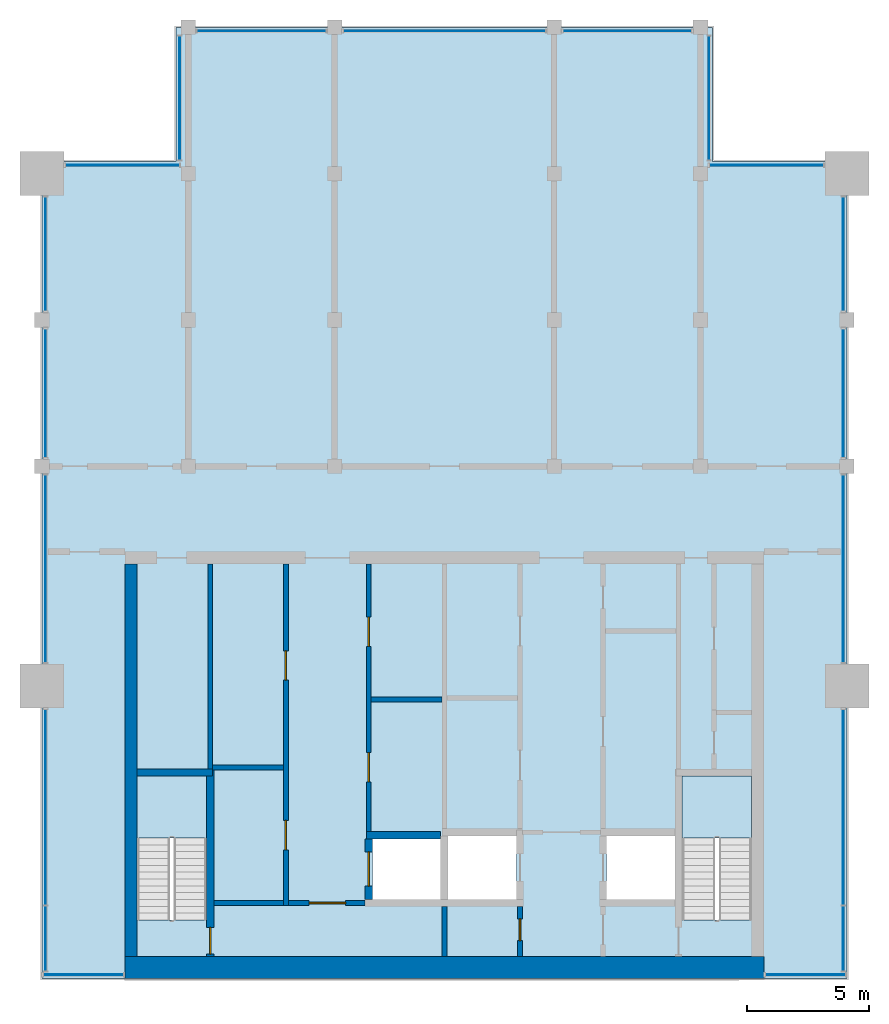
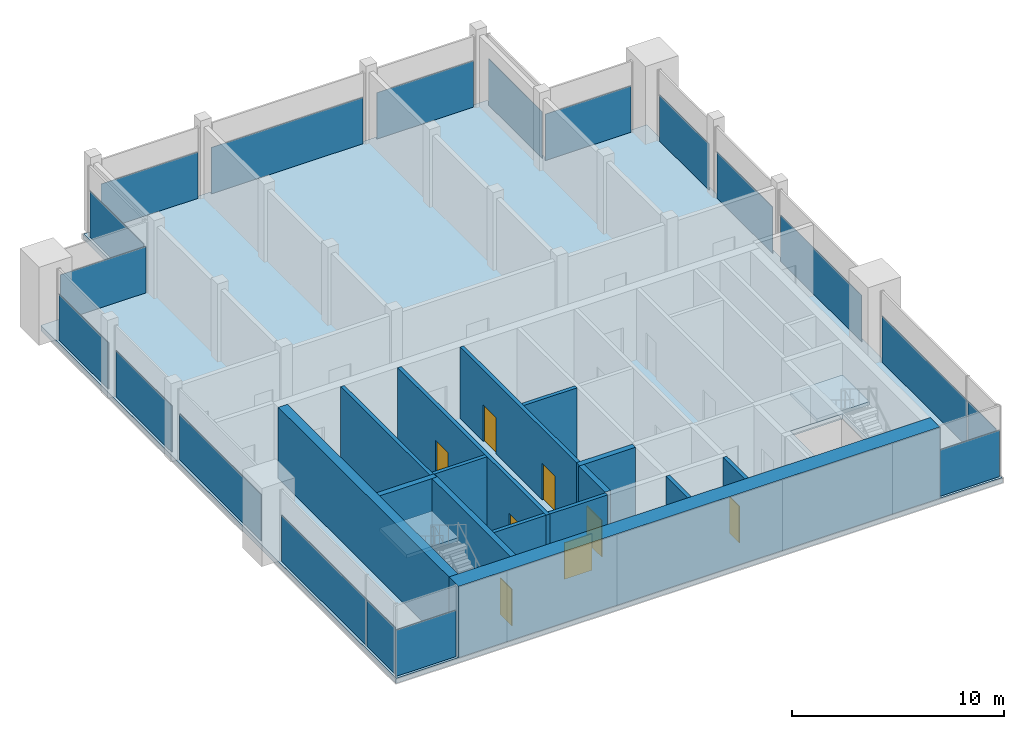
# One storey, part 6 of 9: 19 plates, 15 walls, 8 doors, 3 slabs, 8 openings, 19 elements without a shape of their own.
"""IFC4 building model written with IfcOpenShell, lengths in metres."""

from ifc_helpers import new_model, si_unit, direction, frame, frame_2d, origin, origin_2d, place, context, subcontext, project, spatial, polyline, rectangle, outline, extrude, material, layer, layer_set, type_object, element, fill, aggregate, save


model = new_model("IFC4")

# Units and contexts
model_context = context("Model", 3, precision=1e-05, world=origin(), true_north=direction((0.0, 1.0)))
body_context = subcontext(model_context, "Body", "Model", "MODEL_VIEW")
ifc_project = project(units=[si_unit("LENGTHUNIT", "METRE"), si_unit("AREAUNIT", "SQUARE_METRE"), si_unit("VOLUMEUNIT", "CUBIC_METRE"), si_unit("PLANEANGLEUNIT", "RADIAN"), si_unit("MASSUNIT", "GRAM", prefix="KILO")], contexts=[model_context])

# Site, building, storey
site_placement = place(None, origin())
site = spatial("IfcSite", under=ifc_project, at=site_placement, CompositionType="ELEMENT")
building_placement = place(site_placement, origin())
building = spatial("IfcBuilding", under=site, at=building_placement, Name="Finial Court Residences", CompositionType="ELEMENT")
storey_placement = place(building_placement, frame((0.0, 0.0, 307.699951171875)))
storey = spatial("IfcBuildingStorey", under=building, at=storey_placement, Name="L78", CompositionType="ELEMENT", Elevation=307.699951171875)

# Curtain wall, plate
ifc_material_1 = material(Name="Bronze anodised aluminium", Category="aluminium")
curtain_wall_type = type_object("IfcCurtainWallType", Name="Crown lantern glazing", PredefinedType="NOTDEFINED", material=ifc_material_1)
curtain_wall_1_placement = place(storey_placement, origin())
curtain_wall_1 = element("IfcCurtainWall", 1, at=curtain_wall_1_placement, inside=storey, type_object=curtain_wall_type, Name="E-L78-CW-N1c1", PredefinedType="NOTDEFINED")
ifc_material_2 = material(Name="Clear low-e glass", Category="glass")
ifc_layer_1 = layer(ifc_material_2, 0.031982421875)
ifc_layer_set_1 = layer_set([ifc_layer_1], Name="CW6 vision glass 32")
plate_type = type_object("IfcPlateType", Name="CW6 vision glass 32", PredefinedType="CURTAIN_PANEL", material=ifc_layer_set_1)
plate_1_placement = place(storey_placement, frame((-7.5, 13.35009765625, 0.0), z_axis=(0.0, 0.0, 1.0), x_axis=(1.0, 0.0, 0.0)))
plate_1 = element("IfcPlate", 2, at=plate_1_placement, type_object=plate_type, Name="CW6 glass 1.1", PredefinedType="CURTAIN_PANEL", context=body_context, shape_type="SweptSolid", body=[
    extrude(rectangle(XDim=5.260009765625, YDim=0.031982421875, at=origin_2d()), origin(), (0.0, 0.0, 1.0), 2.6650390625),
])
aggregate(curtain_wall_1, [plate_1])

curtain_wall_2_placement = place(storey_placement, origin())
curtain_wall_2 = element("IfcCurtainWall", 3, at=curtain_wall_2_placement, inside=storey, type_object=curtain_wall_type, Name="E-L78-CW-N1c2", PredefinedType="NOTDEFINED")
plate_2_placement = place(storey_placement, frame((0.0, 13.35009765625, 0.0), z_axis=(0.0, 0.0, 1.0), x_axis=(1.0, 0.0, 0.0)))
plate_2 = element("IfcPlate", 4, at=plate_2_placement, type_object=plate_type, Name="CW6 glass 1.1", PredefinedType="CURTAIN_PANEL", context=body_context, shape_type="SweptSolid", body=[
    extrude(rectangle(XDim=8.260009765625, YDim=0.031982421875, at=origin_2d()), origin(), (0.0, 0.0, 1.0), 2.6650390625),
])
aggregate(curtain_wall_2, [plate_2])

curtain_wall_3_placement = place(storey_placement, origin())
curtain_wall_3 = element("IfcCurtainWall", 5, at=curtain_wall_3_placement, inside=storey, type_object=curtain_wall_type, Name="E-L78-CW-N1c3", PredefinedType="NOTDEFINED")
plate_3_placement = place(storey_placement, frame((7.5, 13.35009765625, 0.0), z_axis=(0.0, 0.0, 1.0), x_axis=(1.0, 0.0, 0.0)))
plate_3 = element("IfcPlate", 6, at=plate_3_placement, type_object=plate_type, Name="CW6 glass 1.1", PredefinedType="CURTAIN_PANEL", context=body_context, shape_type="SweptSolid", body=[
    extrude(rectangle(XDim=5.260009765625, YDim=0.031982421875, at=origin_2d()), origin(), (0.0, 0.0, 1.0), 2.6650390625),
])
aggregate(curtain_wall_3, [plate_3])

# Curtain wall, plates
curtain_wall_4_placement = place(storey_placement, origin())
curtain_wall_4 = element("IfcCurtainWall", 7, at=curtain_wall_4_placement, inside=storey, type_object=curtain_wall_type, Name="E-L78-CW-E2c1", PredefinedType="NOTDEFINED")
plate_4_placement = place(storey_placement, frame((16.35009765625, -23.857421875, 0.0), z_axis=(0.0, 0.0, 1.0), x_axis=(0.0, 1.0, 0.0)))
plate_4 = element("IfcPlate", 8, at=plate_4_placement, type_object=plate_type, Name="CW6 glass 1.1", PredefinedType="CURTAIN_PANEL", context=body_context, shape_type="SweptSolid", body=[
    extrude(rectangle(XDim=2.64501953125, YDim=0.031982421875, at=origin_2d()), origin(), (0.0, 0.0, 1.0), 2.6650390625),
])
plate_5_placement = place(storey_placement, frame((16.35009765625, -18.467529296875, 0.0), z_axis=(0.0, 0.0, 1.0), x_axis=(0.0, 1.0, 0.0)))
plate_5 = element("IfcPlate", 9, at=plate_5_placement, type_object=plate_type, Name="CW6 glass 2.1", PredefinedType="CURTAIN_PANEL", context=body_context, shape_type="SweptSolid", body=[
    extrude(rectangle(XDim=7.9951171875, YDim=0.031982421875, at=origin_2d()), origin(), (0.0, 0.0, 1.0), 2.6650390625),
])
aggregate(curtain_wall_4, [plate_4, plate_5])

# Curtain wall, plate
curtain_wall_5_placement = place(storey_placement, origin())
curtain_wall_5 = element("IfcCurtainWall", 10, at=curtain_wall_5_placement, inside=storey, type_object=curtain_wall_type, Name="E-L78-CW-E2c2", PredefinedType="NOTDEFINED")
plate_6_placement = place(storey_placement, frame((16.35009765625, -8.699951171875, 0.0), z_axis=(0.0, 0.0, 1.0), x_axis=(0.0, 1.0, 0.0)))
plate_6 = element("IfcPlate", 11, at=plate_6_placement, type_object=plate_type, Name="CW6 glass 1.1", PredefinedType="CURTAIN_PANEL", context=body_context, shape_type="SweptSolid", body=[
    extrude(rectangle(XDim=7.659912109375, YDim=0.031982421875, at=origin_2d()), origin(), (0.0, 0.0, 1.0), 2.6650390625),
])
aggregate(curtain_wall_5, [plate_6])

curtain_wall_6_placement = place(storey_placement, origin())
curtain_wall_6 = element("IfcCurtainWall", 12, at=curtain_wall_6_placement, inside=storey, type_object=curtain_wall_type, Name="E-L78-CW-E2c3", PredefinedType="NOTDEFINED")
plate_7_placement = place(storey_placement, frame((16.35009765625, -1.5, 0.0), z_axis=(0.0, 0.0, 1.0), x_axis=(0.0, 1.0, 0.0)))
plate_7 = element("IfcPlate", 13, at=plate_7_placement, type_object=plate_type, Name="CW6 glass 1.1", PredefinedType="CURTAIN_PANEL", context=body_context, shape_type="SweptSolid", body=[
    extrude(rectangle(XDim=5.260009765625, YDim=0.031982421875, at=origin_2d()), origin(), (0.0, 0.0, 1.0), 2.6650390625),
])
aggregate(curtain_wall_6, [plate_7])

curtain_wall_7_placement = place(storey_placement, origin())
curtain_wall_7 = element("IfcCurtainWall", 14, at=curtain_wall_7_placement, inside=storey, type_object=curtain_wall_type, Name="E-L78-CW-E2c4", PredefinedType="NOTDEFINED")
plate_8_placement = place(storey_placement, frame((16.35009765625, 4.199951171875, 0.0), z_axis=(0.0, 0.0, 1.0), x_axis=(0.0, 1.0, 0.0)))
plate_8 = element("IfcPlate", 15, at=plate_8_placement, type_object=plate_type, Name="CW6 glass 1.1", PredefinedType="CURTAIN_PANEL", context=body_context, shape_type="SweptSolid", body=[
    extrude(rectangle(XDim=4.659912109375, YDim=0.031982421875, at=origin_2d()), origin(), (0.0, 0.0, 1.0), 2.6650390625),
])
aggregate(curtain_wall_7, [plate_8])

curtain_wall_8_placement = place(storey_placement, origin())
curtain_wall_8 = element("IfcCurtainWall", 16, at=curtain_wall_8_placement, inside=storey, type_object=curtain_wall_type, Name="E-L78-CW-S3", PredefinedType="NOTDEFINED")
plate_9_placement = place(storey_placement, frame((-14.800048828125, -25.35009765625, 0.0), z_axis=(0.0, 0.0, 1.0), x_axis=(1.0, 0.0, 0.0)))
plate_9 = element("IfcPlate", 17, at=plate_9_placement, type_object=plate_type, Name="CW6 glass 1.1", PredefinedType="CURTAIN_PANEL", context=body_context, shape_type="SweptSolid", body=[
    extrude(rectangle(XDim=3.260009765625, YDim=0.031982421875, at=origin_2d()), origin(), (0.0, 0.0, 1.0), 2.6650390625),
])
aggregate(curtain_wall_8, [plate_9])

curtain_wall_9_placement = place(storey_placement, origin())
curtain_wall_9 = element("IfcCurtainWall", 18, at=curtain_wall_9_placement, inside=storey, type_object=curtain_wall_type, Name="E-L78-CW-S4", PredefinedType="NOTDEFINED")
plate_10_placement = place(storey_placement, frame((14.800048828125, -25.35009765625, 0.0), z_axis=(0.0, 0.0, 1.0), x_axis=(1.0, 0.0, 0.0)))
plate_10 = element("IfcPlate", 19, at=plate_10_placement, type_object=plate_type, Name="CW6 glass 1.1", PredefinedType="CURTAIN_PANEL", context=body_context, shape_type="SweptSolid", body=[
    extrude(rectangle(XDim=3.260009765625, YDim=0.031982421875, at=origin_2d()), origin(), (0.0, 0.0, 1.0), 2.6650390625),
])
aggregate(curtain_wall_9, [plate_10])

# Curtain wall, plates
curtain_wall_10_placement = place(storey_placement, origin())
curtain_wall_10 = element("IfcCurtainWall", 20, at=curtain_wall_10_placement, inside=storey, type_object=curtain_wall_type, Name="E-L78-CW-W5c1", PredefinedType="NOTDEFINED")
plate_11_placement = place(storey_placement, frame((-16.35009765625, -23.857421875, 0.0), z_axis=(0.0, 0.0, 1.0), x_axis=(0.0, 1.0, 0.0)))
plate_11 = element("IfcPlate", 21, at=plate_11_placement, type_object=plate_type, Name="CW6 glass 1.1", PredefinedType="CURTAIN_PANEL", context=body_context, shape_type="SweptSolid", body=[
    extrude(rectangle(XDim=2.64501953125, YDim=0.031982421875, at=origin_2d()), origin(), (0.0, 0.0, 1.0), 2.6650390625),
])
plate_12_placement = place(storey_placement, frame((-16.35009765625, -18.467529296875, 0.0), z_axis=(0.0, 0.0, 1.0), x_axis=(0.0, 1.0, 0.0)))
plate_12 = element("IfcPlate", 22, at=plate_12_placement, type_object=plate_type, Name="CW6 glass 2.1", PredefinedType="CURTAIN_PANEL", context=body_context, shape_type="SweptSolid", body=[
    extrude(rectangle(XDim=7.9951171875, YDim=0.031982421875, at=origin_2d()), origin(), (0.0, 0.0, 1.0), 2.6650390625),
])
aggregate(curtain_wall_10, [plate_11, plate_12])

# Curtain wall, plate
curtain_wall_11_placement = place(storey_placement, origin())
curtain_wall_11 = element("IfcCurtainWall", 23, at=curtain_wall_11_placement, inside=storey, type_object=curtain_wall_type, Name="E-L78-CW-W5c2", PredefinedType="NOTDEFINED")
plate_13_placement = place(storey_placement, frame((-16.35009765625, -8.699951171875, 0.0), z_axis=(0.0, 0.0, 1.0), x_axis=(0.0, 1.0, 0.0)))
plate_13 = element("IfcPlate", 24, at=plate_13_placement, type_object=plate_type, Name="CW6 glass 1.1", PredefinedType="CURTAIN_PANEL", context=body_context, shape_type="SweptSolid", body=[
    extrude(rectangle(XDim=7.659912109375, YDim=0.031982421875, at=origin_2d()), origin(), (0.0, 0.0, 1.0), 2.6650390625),
])
aggregate(curtain_wall_11, [plate_13])

curtain_wall_12_placement = place(storey_placement, origin())
curtain_wall_12 = element("IfcCurtainWall", 25, at=curtain_wall_12_placement, inside=storey, type_object=curtain_wall_type, Name="E-L78-CW-W5c3", PredefinedType="NOTDEFINED")
plate_14_placement = place(storey_placement, frame((-16.35009765625, -1.5, 0.0), z_axis=(0.0, 0.0, 1.0), x_axis=(0.0, 1.0, 0.0)))
plate_14 = element("IfcPlate", 26, at=plate_14_placement, type_object=plate_type, Name="CW6 glass 1.1", PredefinedType="CURTAIN_PANEL", context=body_context, shape_type="SweptSolid", body=[
    extrude(rectangle(XDim=5.260009765625, YDim=0.031982421875, at=origin_2d()), origin(), (0.0, 0.0, 1.0), 2.6650390625),
])
aggregate(curtain_wall_12, [plate_14])

curtain_wall_13_placement = place(storey_placement, origin())
curtain_wall_13 = element("IfcCurtainWall", 27, at=curtain_wall_13_placement, inside=storey, type_object=curtain_wall_type, Name="E-L78-CW-W5c4", PredefinedType="NOTDEFINED")
plate_15_placement = place(storey_placement, frame((-16.35009765625, 4.199951171875, 0.0), z_axis=(0.0, 0.0, 1.0), x_axis=(0.0, 1.0, 0.0)))
plate_15 = element("IfcPlate", 28, at=plate_15_placement, type_object=plate_type, Name="CW6 glass 1.1", PredefinedType="CURTAIN_PANEL", context=body_context, shape_type="SweptSolid", body=[
    extrude(rectangle(XDim=4.659912109375, YDim=0.031982421875, at=origin_2d()), origin(), (0.0, 0.0, 1.0), 2.6650390625),
])
aggregate(curtain_wall_13, [plate_15])

curtain_wall_14_placement = place(storey_placement, origin())
curtain_wall_14 = element("IfcCurtainWall", 29, at=curtain_wall_14_placement, inside=storey, type_object=curtain_wall_type, Name="E-L78-CW-W6nc1", PredefinedType="NOTDEFINED")
plate_16_placement = place(storey_placement, frame((-10.85009765625, 10.60009765625, 0.0), z_axis=(0.0, 0.0, 1.0), x_axis=(0.0, 1.0, 0.0)))
plate_16 = element("IfcPlate", 30, at=plate_16_placement, type_object=plate_type, Name="CW6 glass 1.1", PredefinedType="CURTAIN_PANEL", context=body_context, shape_type="SweptSolid", body=[
    extrude(rectangle(XDim=5.06005859375, YDim=0.031982421875, at=origin_2d()), origin(), (0.0, 0.0, 1.0), 2.6650390625),
])
aggregate(curtain_wall_14, [plate_16])

curtain_wall_15_placement = place(storey_placement, origin())
curtain_wall_15 = element("IfcCurtainWall", 31, at=curtain_wall_15_placement, inside=storey, type_object=curtain_wall_type, Name="E-L78-CW-N7nc1", PredefinedType="NOTDEFINED")
plate_17_placement = place(storey_placement, frame((-13.199951171875, 7.85009765625, 0.0), z_axis=(0.0, 0.0, 1.0), x_axis=(1.0, 0.0, 0.0)))
plate_17 = element("IfcPlate", 32, at=plate_17_placement, type_object=plate_type, Name="CW6 glass 1.1", PredefinedType="CURTAIN_PANEL", context=body_context, shape_type="SweptSolid", body=[
    extrude(rectangle(XDim=4.659912109375, YDim=0.031982421875, at=origin_2d()), origin(), (0.0, 0.0, 1.0), 2.6650390625),
])
aggregate(curtain_wall_15, [plate_17])

curtain_wall_16_placement = place(storey_placement, origin())
curtain_wall_16 = element("IfcCurtainWall", 33, at=curtain_wall_16_placement, inside=storey, type_object=curtain_wall_type, Name="E-L78-CW-E8nc1", PredefinedType="NOTDEFINED")
plate_18_placement = place(storey_placement, frame((10.85009765625, 10.60009765625, 0.0), z_axis=(0.0, 0.0, 1.0), x_axis=(0.0, 1.0, 0.0)))
plate_18 = element("IfcPlate", 34, at=plate_18_placement, type_object=plate_type, Name="CW6 glass 1.1", PredefinedType="CURTAIN_PANEL", context=body_context, shape_type="SweptSolid", body=[
    extrude(rectangle(XDim=5.06005859375, YDim=0.031982421875, at=origin_2d()), origin(), (0.0, 0.0, 1.0), 2.6650390625),
])
aggregate(curtain_wall_16, [plate_18])

curtain_wall_17_placement = place(storey_placement, origin())
curtain_wall_17 = element("IfcCurtainWall", 35, at=curtain_wall_17_placement, inside=storey, type_object=curtain_wall_type, Name="E-L78-CW-N9nc1", PredefinedType="NOTDEFINED")
plate_19_placement = place(storey_placement, frame((13.199951171875, 7.85009765625, 0.0), z_axis=(0.0, 0.0, 1.0), x_axis=(1.0, 0.0, 0.0)))
plate_19 = element("IfcPlate", 36, at=plate_19_placement, type_object=plate_type, Name="CW6 glass 1.1", PredefinedType="CURTAIN_PANEL", context=body_context, shape_type="SweptSolid", body=[
    extrude(rectangle(XDim=4.659912109375, YDim=0.031982421875, at=origin_2d()), origin(), (0.0, 0.0, 1.0), 2.6650390625),
])
aggregate(curtain_wall_17, [plate_19])

# Stair, slab
ifc_material_3 = material(Name="Concrete C50/60", Category="concrete")
stair_type = type_object("IfcStairType", Name="Exit stair 26 risers of 173.1 mm", PredefinedType="HALF_TURN_STAIR", material=ifc_material_3)
stair_1_placement = place(storey_placement, origin())
stair_1 = element("IfcStair", 37, at=stair_1_placement, inside=storey, type_object=stair_type, Name="L78 Exit stair ST-1", PredefinedType="HALF_TURN_STAIR")
ifc_layer_2 = layer(ifc_material_3, 0.199951171875)
ifc_layer_set_2 = layer_set([ifc_layer_2], Name="Exit stair landing")
slab_type_1 = type_object("IfcSlabType", Name="Exit stair landing", PredefinedType="LANDING", material=ifc_layer_set_2)
slab_1_placement = place(storey_placement, frame((0.0, 0.0, 2.050048828125)))
slab_1 = element("IfcSlab", 38, at=slab_1_placement, type_object=slab_type_1, Name="ST-1 landing 1", PredefinedType="LANDING", context=body_context, shape_type="SweptSolid", body=[
    extrude(outline(polyline([(-9.75, -19.739990234375), (-9.75, -17.199951171875), (-12.60009765625, -17.199951171875), (-12.60009765625, -19.739990234375), (-9.75, -19.739990234375)])), origin(), (0.0, 0.0, 1.0), 0.199951171875),
])
aggregate(stair_1, [slab_1])

stair_2_placement = place(storey_placement, origin())
stair_2 = element("IfcStair", 39, at=stair_2_placement, inside=storey, type_object=stair_type, Name="L78 Exit stair ST-2", PredefinedType="HALF_TURN_STAIR")
slab_2_placement = place(storey_placement, frame((0.0, 0.0, 2.050048828125)))
slab_2 = element("IfcSlab", 40, at=slab_2_placement, type_object=slab_type_1, Name="ST-2 landing 1", PredefinedType="LANDING", context=body_context, shape_type="SweptSolid", body=[
    extrude(outline(polyline([(12.60009765625, -19.739990234375), (12.60009765625, -17.199951171875), (9.75, -17.199951171875), (9.75, -19.739990234375), (12.60009765625, -19.739990234375)])), origin(), (0.0, 0.0, 1.0), 0.199951171875),
])
aggregate(stair_2, [slab_2])

# Slab
ifc_material_4 = material(Name="Concrete C40/50", Category="concrete")
ifc_layer_3 = layer(ifc_material_4, 0.300048828125)
ifc_layer_set_3 = layer_set([ifc_layer_3], Name="Flat plate slab 300 Concrete C40/50")
slab_type_2 = type_object("IfcSlabType", Name="Flat plate slab 300 Concrete C40/50", PredefinedType="FLOOR", material=ifc_layer_set_3)
slab_3_placement = place(storey_placement, frame((0.0, 0.0, -0.300048828125)))
element("IfcSlab", 41, at=slab_3_placement, inside=storey, type_object=slab_type_2, Name="S:SLAB:L78", PredefinedType="FLOOR", context=body_context, shape_type="SweptSolid", body=[
    extrude(outline(polyline([(-16.5, -25.5), (-16.5, 8.0), (-11.0, 8.0), (-11.0, 13.5), (11.0, 13.5), (11.0, 8.0), (16.5, 8.0), (16.5, -25.5), (-16.5, -25.5)]), holes=[polyline([(-2.949951171875, -19.77001953125), (-2.949951171875, -22.25), (-0.14990234375, -22.25), (-0.14990234375, -19.77001953125), (-2.949951171875, -19.77001953125)]), polyline([(0.14990234375, -19.64990234375), (0.14990234375, -22.25), (2.949951171875, -22.25), (2.949951171875, -19.64990234375), (0.14990234375, -19.64990234375)]), polyline([(6.64990234375, -19.64990234375), (6.64990234375, -22.25), (9.449951171875, -22.25), (9.449951171875, -19.64990234375), (6.64990234375, -19.64990234375)]), polyline([(-12.60009765625, -17.199951171875), (-12.60009765625, -23.09912109375), (-9.75, -23.09912109375), (-9.75, -17.199951171875), (-12.60009765625, -17.199951171875)]), polyline([(9.75, -17.199951171875), (9.75, -23.09912109375), (12.60009765625, -23.09912109375), (12.60009765625, -17.199951171875), (9.75, -17.199951171875)])]), origin(), (0.0, 0.0, 1.0), 0.300048828125),
])

# Walls
ifc_layer_4 = layer(ifc_material_3, 0.5)
ifc_layer_set_4 = layer_set([ifc_layer_4], Name="Core outer wall 500 Concrete C50/60")
wall_type_1 = type_object("IfcWallType", Name="Core outer wall 500 Concrete C50/60", PredefinedType="SHEAR", material=ifc_layer_set_4)
wall_1_placement = place(storey_placement, frame((-12.85009765625, -24.60009765625, 0.0), z_axis=(0.0, 0.0, 1.0), x_axis=(0.0, 1.0, 0.0)))
element("IfcWall", 42, at=wall_1_placement, inside=storey, type_object=wall_type_1, Name="Core outer wall L78-03", PredefinedType="SHEAR", context=body_context, shape_type="SweptSolid", body=[
    extrude(rectangle(XDim=16.10009765625, YDim=0.5, at=frame_2d((8.050048828125, 0.0))), origin(), (0.0, 0.0, 1.0), 4.10009765625),
])
ifc_layer_5 = layer(ifc_material_3, 0.89990234375)
ifc_layer_set_5 = layer_set([ifc_layer_5], Name="Core south facade wall 900 Concrete C50/60")
wall_type_2 = type_object("IfcWallType", Name="Core south facade wall 900 Concrete C50/60", PredefinedType="SHEAR", material=ifc_layer_set_5)
wall_2_placement = place(storey_placement, frame((-13.10009765625, -25.050048828125, 0.0), z_axis=(0.0, 0.0, 1.0), x_axis=(1.0, 0.0, 0.0)))
element("IfcWall", 43, at=wall_2_placement, inside=storey, type_object=wall_type_2, Name="Core outer wall L78-01", PredefinedType="SHEAR", context=body_context, shape_type="SweptSolid", body=[
    extrude(rectangle(XDim=26.2001953125, YDim=0.89990234375, at=frame_2d((13.10009765625, 0.0))), origin(), (0.0, 0.0, 1.0), 4.10009765625),
])

# Wall, opening, door
ifc_material_5 = material(Name="Fire-rated gypsum board partition")
ifc_layer_6 = layer(ifc_material_5, 0.199951171875)
ifc_layer_set_6 = layer_set([ifc_layer_6], Name="Firefighting lobby wall 200 EI 120")
wall_type_3 = type_object("IfcWallType", Name="Firefighting lobby wall 200 EI 120", PredefinedType="PARTITIONING", material=ifc_layer_set_6)
wall_3_placement = place(storey_placement, frame((3.10009765625, -24.60009765625, 0.0), z_axis=(0.0, 0.0, 1.0), x_axis=(0.0, 1.0, 0.0)))
wall_3 = element("IfcWall", 44, at=wall_3_placement, inside=storey, type_object=wall_type_3, Name="Core partition L78-24", PredefinedType="PARTITIONING", context=body_context, shape_type="SweptSolid", body=[
    extrude(rectangle(XDim=2.050048828125, YDim=0.199951171875, at=frame_2d((1.02490234375, 0.0))), origin(), (0.0, 0.0, 1.0), 4.10009765625),
])
opening_1_placement = place(wall_3_placement, frame((0.64990234375, 0.0, 0.0)))
opening_1 = element("IfcOpeningElement", 45, at=opening_1_placement, cuts=wall_3, Name="Opening L78-C17", PredefinedType="OPENING", context=body_context, shape_type="SweptSolid", body=[
    extrude(rectangle(XDim=0.89990234375, YDim=2.10009765625, at=frame_2d((0.449951171875, 1.050048828125))), frame((0.0, 0.10986328125, 0.0), z_axis=(0.0, -1.0, 0.0), x_axis=(1.0, 0.0, 0.0)), (0.0, 0.0, 1.0), 0.219970703125),
])
ifc_material_6 = material(Name="Steel fire door", Category="steel")
door_type_1 = type_object("IfcDoorType", Name="Riser room door 900 x 2100 EI 90", OperationType="NOTDEFINED", PredefinedType="DOOR", material=ifc_material_6)
door_1_placement = place(opening_1_placement, origin())
door_1 = element("IfcDoor", 46, at=door_1_placement, inside=storey, type_object=door_type_1, Name="Riser room door L78-C17", OperationType="SINGLE_SWING_LEFT", OverallHeight=2.10009765625, OverallWidth=0.89990234375, PredefinedType="DOOR", context=body_context, shape_type="SweptSolid", body=[
    extrude(rectangle(XDim=0.89990234375, YDim=2.10009765625, at=frame_2d((0.449951171875, 1.050048828125))), frame((0.0, 0.02490234375, 0.0), z_axis=(0.0, -1.0, 0.0), x_axis=(1.0, 0.0, 0.0)), (0.0, 0.0, 1.0), 0.050048828125),
])
fill(opening_1, door_1)

# Walls
ifc_layer_7 = layer(ifc_material_3, 0.300048828125)
ifc_layer_set_7 = layer_set([ifc_layer_7], Name="Lift shaft and stair wall 300 Concrete C50/60")
wall_type_4 = type_object("IfcWallType", Name="Lift shaft and stair wall 300 Concrete C50/60", PredefinedType="SHEAR", material=ifc_layer_set_7)
wall_4_placement = place(storey_placement, frame((-3.199951171875, -19.6201171875, 0.0), z_axis=(0.0, 0.0, 1.0), x_axis=(1.0, 0.0, 0.0)))
element("IfcWall", 47, at=wall_4_placement, inside=storey, type_object=wall_type_4, Name="Core wall L78-05", PredefinedType="SHEAR", context=body_context, shape_type="SweptSolid", body=[
    extrude(rectangle(XDim=3.050048828125, YDim=0.300048828125, at=frame_2d((1.52490234375, 0.0))), origin(), (0.0, 0.0, 1.0), 4.10009765625),
])
wall_5_placement = place(storey_placement, frame((-12.60009765625, -17.050048828125, 0.0), z_axis=(0.0, 0.0, 1.0), x_axis=(1.0, 0.0, 0.0)))
element("IfcWall", 48, at=wall_5_placement, inside=storey, type_object=wall_type_4, Name="Core wall L78-09", PredefinedType="SHEAR", context=body_context, shape_type="SweptSolid", body=[
    extrude(rectangle(XDim=3.10009765625, YDim=0.300048828125, at=frame_2d((1.550048828125, 0.0))), origin(), (0.0, 0.0, 1.0), 4.10009765625),
])

# Wall, opening, door
wall_6_placement = place(storey_placement, frame((-9.60009765625, -24.60009765625, 0.0), z_axis=(0.0, 0.0, 1.0), x_axis=(0.0, 1.0, 0.0)))
wall_6 = element("IfcWall", 49, at=wall_6_placement, inside=storey, type_object=wall_type_4, Name="Core wall L78-16", PredefinedType="SHEAR", context=body_context, shape_type="SweptSolid", body=[
    extrude(rectangle(XDim=7.7001953125, YDim=0.300048828125, at=frame_2d((3.85009765625, 0.0))), origin(), (0.0, 0.0, 1.0), 4.10009765625),
])
opening_2_placement = place(wall_6_placement, frame((0.10009765625, 0.0, 0.0)))
opening_2 = element("IfcOpeningElement", 50, at=opening_2_placement, cuts=wall_6, Name="Opening L78-C19", PredefinedType="OPENING", context=body_context, shape_type="SweptSolid", body=[
    extrude(rectangle(XDim=1.10009765625, YDim=2.10009765625, at=frame_2d((0.550048828125, 1.050048828125))), frame((0.0, 0.159912109375, 0.0), z_axis=(0.0, -1.0, 0.0), x_axis=(1.0, 0.0, 0.0)), (0.0, 0.0, 1.0), 0.320068359375),
])
door_type_2 = type_object("IfcDoorType", Name="Stair door 1100 x 2100 EI 90", OperationType="NOTDEFINED", PredefinedType="DOOR", material=ifc_material_6)
door_2_placement = place(opening_2_placement, origin())
door_2 = element("IfcDoor", 51, at=door_2_placement, inside=storey, type_object=door_type_2, Name="Stair door L78-C19", OperationType="SINGLE_SWING_LEFT", OverallHeight=2.10009765625, OverallWidth=1.10009765625, PredefinedType="DOOR", context=body_context, shape_type="SweptSolid", body=[
    extrude(rectangle(XDim=1.10009765625, YDim=2.10009765625, at=frame_2d((0.550048828125, 1.050048828125))), frame((0.0, 0.02490234375, 0.0), z_axis=(0.0, -1.0, 0.0), x_axis=(1.0, 0.0, 0.0)), (0.0, 0.0, 1.0), 0.050048828125),
])
fill(opening_2, door_2)

wall_7_placement = place(storey_placement, frame((-3.10009765625, -22.25, 0.0), z_axis=(0.0, 0.0, 1.0), x_axis=(0.0, 1.0, 0.0)))
wall_7 = element("IfcWall", 52, at=wall_7_placement, inside=storey, type_object=wall_type_4, Name="Core wall L78-19", PredefinedType="SHEAR", context=body_context, shape_type="SweptSolid", body=[
    extrude(rectangle(XDim=2.47998046875, YDim=0.300048828125, at=frame_2d((1.239990234375, 0.0))), origin(), (0.0, 0.0, 1.0), 4.10009765625),
])
opening_3_placement = place(wall_7_placement, frame((0.5400390625, 0.0, 0.0)))
opening_3 = element("IfcOpeningElement", 53, at=opening_3_placement, cuts=wall_7, Name="Opening L78-LD03", PredefinedType="OPENING", context=body_context, shape_type="SweptSolid", body=[
    extrude(rectangle(XDim=1.39990234375, YDim=2.10009765625, at=frame_2d((0.699951171875, 1.050048828125))), frame((0.0, 0.159912109375, 0.0), z_axis=(0.0, -1.0, 0.0), x_axis=(1.0, 0.0, 0.0)), (0.0, 0.0, 1.0), 0.320068359375),
])
ifc_material_7 = material(Name="Stainless steel lift door", Category="steel")
door_type_3 = type_object("IfcDoorType", Name="Lift landing door 1400 x 2100 EI 90", OperationType="DOUBLE_DOOR_SLIDING", PredefinedType="DOOR", material=ifc_material_7)
door_3_placement = place(opening_3_placement, origin())
door_3 = element("IfcDoor", 54, at=door_3_placement, inside=storey, type_object=door_type_3, Name="Lift landing door SV1 L78", OperationType="DOUBLE_DOOR_SLIDING", OverallHeight=2.10009765625, OverallWidth=1.39990234375, PredefinedType="DOOR", context=body_context, shape_type="SweptSolid", body=[
    extrude(rectangle(XDim=1.39990234375, YDim=2.10009765625, at=frame_2d((0.699951171875, 1.050048828125))), frame((0.0, 0.02490234375, 0.0), z_axis=(0.0, -1.0, 0.0), x_axis=(1.0, 0.0, 0.0)), (0.0, 0.0, 1.0), 0.050048828125),
])
fill(opening_3, door_3)

# Walls
ifc_layer_8 = layer(ifc_material_5, 0.199951171875)
ifc_layer_set_8 = layer_set([ifc_layer_8], Name="Riser room wall 200 EI 120")
wall_type_5 = type_object("IfcWallType", Name="Riser room wall 200 EI 120", PredefinedType="PARTITIONING", material=ifc_layer_set_8)
wall_8_placement = place(storey_placement, frame((-9.449951171875, -22.39990234375, 0.0), z_axis=(0.0, 0.0, 1.0), x_axis=(1.0, 0.0, 0.0)))
element("IfcWall", 55, at=wall_8_placement, inside=storey, type_object=wall_type_5, Name="Core partition L78-01", PredefinedType="PARTITIONING", context=body_context, shape_type="SweptSolid", body=[
    extrude(rectangle(XDim=2.849853515625, YDim=0.199951171875, at=frame_2d((1.4248046875, 0.0))), origin(), (0.0, 0.0, 1.0), 4.10009765625),
])
for number, where, z_axis, x_axis, name in (
    (56, (-9.5, -16.840087890625, 0.0), (0.0, 0.0, 1.0), (1.0, 0.0, 0.0), "Core partition L78-11"),
    (57, (-3.0, -14.06005859375, 0.0), (0.0, 0.0, 1.0), (1.0, 0.0, 0.0), "Core partition L78-13"),
):
    element("IfcWall", number, at=place(storey_placement, frame(where, z_axis=z_axis, x_axis=x_axis)), inside=storey, type_object=wall_type_5, Name=name, PredefinedType="PARTITIONING", context=body_context, shape_type="SweptSolid", body=[
        extrude(rectangle(XDim=2.89990234375, YDim=0.199951171875, at=frame_2d((1.449951171875, 0.0))), origin(), (0.0, 0.0, 1.0), 4.10009765625),
    ])
wall_9_placement = place(storey_placement, frame((-9.60009765625, -16.89990234375, 0.0), z_axis=(0.0, 0.0, 1.0), x_axis=(0.0, 1.0, 0.0)))
element("IfcWall", 58, at=wall_9_placement, inside=storey, type_object=wall_type_5, Name="Core partition L78-17", PredefinedType="PARTITIONING", context=body_context, shape_type="SweptSolid", body=[
    extrude(rectangle(XDim=8.39990234375, YDim=0.199951171875, at=frame_2d((4.199951171875, 0.0))), origin(), (0.0, 0.0, 1.0), 4.10009765625),
])

# Wall, openings, doors
wall_10_placement = place(storey_placement, frame((-6.5, -22.5, 0.0), z_axis=(0.0, 0.0, 1.0), x_axis=(0.0, 1.0, 0.0)))
wall_10 = element("IfcWall", 59, at=wall_10_placement, inside=storey, type_object=wall_type_5, Name="Core partition L78-18", PredefinedType="PARTITIONING", context=body_context, shape_type="SweptSolid", body=[
    extrude(rectangle(XDim=14.0, YDim=0.199951171875, at=frame_2d((7.0, 0.0))), origin(), (0.0, 0.0, 1.0), 4.10009765625),
])
opening_4_placement = place(wall_10_placement, frame((2.280029296875, 0.0, 0.0)))
opening_4 = element("IfcOpeningElement", 60, at=opening_4_placement, cuts=wall_10, Name="Opening L78-C07", PredefinedType="OPENING", context=body_context, shape_type="SweptSolid", body=[
    extrude(rectangle(XDim=1.199951171875, YDim=2.10009765625, at=frame_2d((0.60009765625, 1.050048828125))), frame((0.0, 0.10986328125, 0.0), z_axis=(0.0, -1.0, 0.0), x_axis=(1.0, 0.0, 0.0)), (0.0, 0.0, 1.0), 0.219970703125),
])
opening_5_placement = place(wall_10_placement, frame((9.22998046875, 0.0, 0.0)))
opening_5 = element("IfcOpeningElement", 61, at=opening_5_placement, cuts=wall_10, Name="Opening L78-C08", PredefinedType="OPENING", context=body_context, shape_type="SweptSolid", body=[
    extrude(rectangle(XDim=1.199951171875, YDim=2.10009765625, at=frame_2d((0.60009765625, 1.050048828125))), frame((0.0, 0.10986328125, 0.0), z_axis=(0.0, -1.0, 0.0), x_axis=(1.0, 0.0, 0.0)), (0.0, 0.0, 1.0), 0.219970703125),
])
door_type_4 = type_object("IfcDoorType", Name="Riser room door 1200 x 2100 EI 90", OperationType="NOTDEFINED", PredefinedType="DOOR", material=ifc_material_6)
door_4_placement = place(opening_4_placement, origin())
door_4 = element("IfcDoor", 62, at=door_4_placement, inside=storey, type_object=door_type_4, Name="Riser room door L78-C07", OperationType="SINGLE_SWING_LEFT", OverallHeight=2.10009765625, OverallWidth=1.199951171875, PredefinedType="DOOR", context=body_context, shape_type="SweptSolid", body=[
    extrude(rectangle(XDim=1.199951171875, YDim=2.10009765625, at=frame_2d((0.60009765625, 1.050048828125))), frame((0.0, 0.02490234375, 0.0), z_axis=(0.0, -1.0, 0.0), x_axis=(1.0, 0.0, 0.0)), (0.0, 0.0, 1.0), 0.050048828125),
])
fill(opening_4, door_4)
door_5_placement = place(opening_5_placement, origin())
door_5 = element("IfcDoor", 63, at=door_5_placement, inside=storey, type_object=door_type_4, Name="Riser room door L78-C08", OperationType="SINGLE_SWING_LEFT", OverallHeight=2.10009765625, OverallWidth=1.199951171875, PredefinedType="DOOR", context=body_context, shape_type="SweptSolid", body=[
    extrude(rectangle(XDim=1.199951171875, YDim=2.10009765625, at=frame_2d((0.60009765625, 1.050048828125))), frame((0.0, 0.02490234375, 0.0), z_axis=(0.0, -1.0, 0.0), x_axis=(1.0, 0.0, 0.0)), (0.0, 0.0, 1.0), 0.050048828125),
])
fill(opening_5, door_5)

wall_11_placement = place(storey_placement, frame((-3.10009765625, -8.5, 0.0), z_axis=(0.0, 0.0, 1.0), x_axis=(0.0, -1.0, 0.0)))
wall_11 = element("IfcWall", 64, at=wall_11_placement, inside=storey, type_object=wall_type_5, Name="Core partition L78-20", PredefinedType="PARTITIONING", context=body_context, shape_type="SweptSolid", body=[
    extrude(rectangle(XDim=10.969970703125, YDim=0.199951171875, at=frame_2d((5.48486328125, 0.0))), origin(), (0.0, 0.0, 1.0), 4.10009765625),
])
opening_6_placement = place(wall_11_placement, frame((7.739990234375, 0.0, 0.0)))
opening_6 = element("IfcOpeningElement", 65, at=opening_6_placement, cuts=wall_11, Name="Opening L78-C09", PredefinedType="OPENING", context=body_context, shape_type="SweptSolid", body=[
    extrude(rectangle(XDim=1.199951171875, YDim=2.10009765625, at=frame_2d((0.60009765625, 1.050048828125))), frame((0.0, 0.10986328125, 0.0), z_axis=(0.0, -1.0, 0.0), x_axis=(1.0, 0.0, 0.0)), (0.0, 0.0, 1.0), 0.219970703125),
])
opening_7_placement = place(wall_11_placement, frame((2.179931640625, 0.0, 0.0)))
opening_7 = element("IfcOpeningElement", 66, at=opening_7_placement, cuts=wall_11, Name="Opening L78-C10", PredefinedType="OPENING", context=body_context, shape_type="SweptSolid", body=[
    extrude(rectangle(XDim=1.199951171875, YDim=2.10009765625, at=frame_2d((0.60009765625, 1.050048828125))), frame((0.0, 0.10986328125, 0.0), z_axis=(0.0, -1.0, 0.0), x_axis=(1.0, 0.0, 0.0)), (0.0, 0.0, 1.0), 0.219970703125),
])
door_6_placement = place(opening_6_placement, origin())
door_6 = element("IfcDoor", 67, at=door_6_placement, inside=storey, type_object=door_type_4, Name="Riser room door L78-C09", OperationType="SINGLE_SWING_LEFT", OverallHeight=2.10009765625, OverallWidth=1.199951171875, PredefinedType="DOOR", context=body_context, shape_type="SweptSolid", body=[
    extrude(rectangle(XDim=1.199951171875, YDim=2.10009765625, at=frame_2d((0.60009765625, 1.050048828125))), frame((0.0, 0.02490234375, 0.0), z_axis=(0.0, -1.0, 0.0), x_axis=(1.0, 0.0, 0.0)), (0.0, 0.0, 1.0), 0.050048828125),
])
fill(opening_6, door_6)
door_7_placement = place(opening_7_placement, origin())
door_7 = element("IfcDoor", 68, at=door_7_placement, inside=storey, type_object=door_type_4, Name="Riser room door L78-C10", OperationType="SINGLE_SWING_LEFT", OverallHeight=2.10009765625, OverallWidth=1.199951171875, PredefinedType="DOOR", context=body_context, shape_type="SweptSolid", body=[
    extrude(rectangle(XDim=1.199951171875, YDim=2.10009765625, at=frame_2d((0.60009765625, 1.050048828125))), frame((0.0, 0.02490234375, 0.0), z_axis=(0.0, -1.0, 0.0), x_axis=(1.0, 0.0, 0.0)), (0.0, 0.0, 1.0), 0.050048828125),
])
fill(opening_7, door_7)

# Wall
wall_12_placement = place(storey_placement, frame((0.0, -24.60009765625, 0.0), z_axis=(0.0, 0.0, 1.0), x_axis=(0.0, 1.0, 0.0)))
element("IfcWall", 69, at=wall_12_placement, inside=storey, type_object=wall_type_5, Name="Core partition L78-21", PredefinedType="PARTITIONING", context=body_context, shape_type="SweptSolid", body=[
    extrude(rectangle(XDim=2.050048828125, YDim=0.199951171875, at=frame_2d((1.02490234375, 0.0))), origin(), (0.0, 0.0, 1.0), 4.10009765625),
])

# Wall, opening, door
ifc_layer_9 = layer(ifc_material_5, 0.199951171875)
ifc_layer_set_9 = layer_set([ifc_layer_9], Name="Stair passage wall 200 EI 180")
wall_type_6 = type_object("IfcWallType", Name="Stair passage wall 200 EI 180", PredefinedType="PARTITIONING", material=ifc_layer_set_9)
wall_13_placement = place(storey_placement, frame((-3.25, -22.39990234375, 0.0), z_axis=(0.0, 0.0, 1.0), x_axis=(-1.0, 0.0, 0.0)))
wall_13 = element("IfcWall", 70, at=wall_13_placement, inside=storey, type_object=wall_type_6, Name="Core partition L78-02", PredefinedType="PARTITIONING", context=body_context, shape_type="SweptSolid", body=[
    extrude(rectangle(XDim=3.14990234375, YDim=0.199951171875, at=frame_2d((1.574951171875, 0.0))), origin(), (0.0, 0.0, 1.0), 4.10009765625),
])
opening_8_placement = place(wall_13_placement, frame((0.800048828125, 0.0, 0.0)))
opening_8 = element("IfcOpeningElement", 71, at=opening_8_placement, cuts=wall_13, Name="Opening L78-C05", PredefinedType="OPENING", context=body_context, shape_type="SweptSolid", body=[
    extrude(rectangle(XDim=1.5, YDim=2.10009765625, at=frame_2d((0.75, 1.050048828125))), frame((0.0, 0.10986328125, 0.0), z_axis=(0.0, -1.0, 0.0), x_axis=(1.0, 0.0, 0.0)), (0.0, 0.0, 1.0), 0.219970703125),
])
door_type_5 = type_object("IfcDoorType", Name="Lift lobby door 1500 x 2100 EI 60", OperationType="DOUBLE_DOOR_SINGLE_SWING", PredefinedType="DOOR", material=ifc_material_6)
door_8_placement = place(opening_8_placement, origin())
door_8 = element("IfcDoor", 72, at=door_8_placement, inside=storey, type_object=door_type_5, Name="Lift lobby door L78-C05", OperationType="DOUBLE_DOOR_SINGLE_SWING", OverallHeight=2.10009765625, OverallWidth=1.5, PredefinedType="DOOR", context=body_context, shape_type="SweptSolid", body=[
    extrude(rectangle(XDim=1.5, YDim=2.10009765625, at=frame_2d((0.75, 1.050048828125))), frame((0.0, 0.02490234375, 0.0), z_axis=(0.0, -1.0, 0.0), x_axis=(1.0, 0.0, 0.0)), (0.0, 0.0, 1.0), 0.050048828125),
])
fill(opening_8, door_8)

save(model, "model.ifc")
